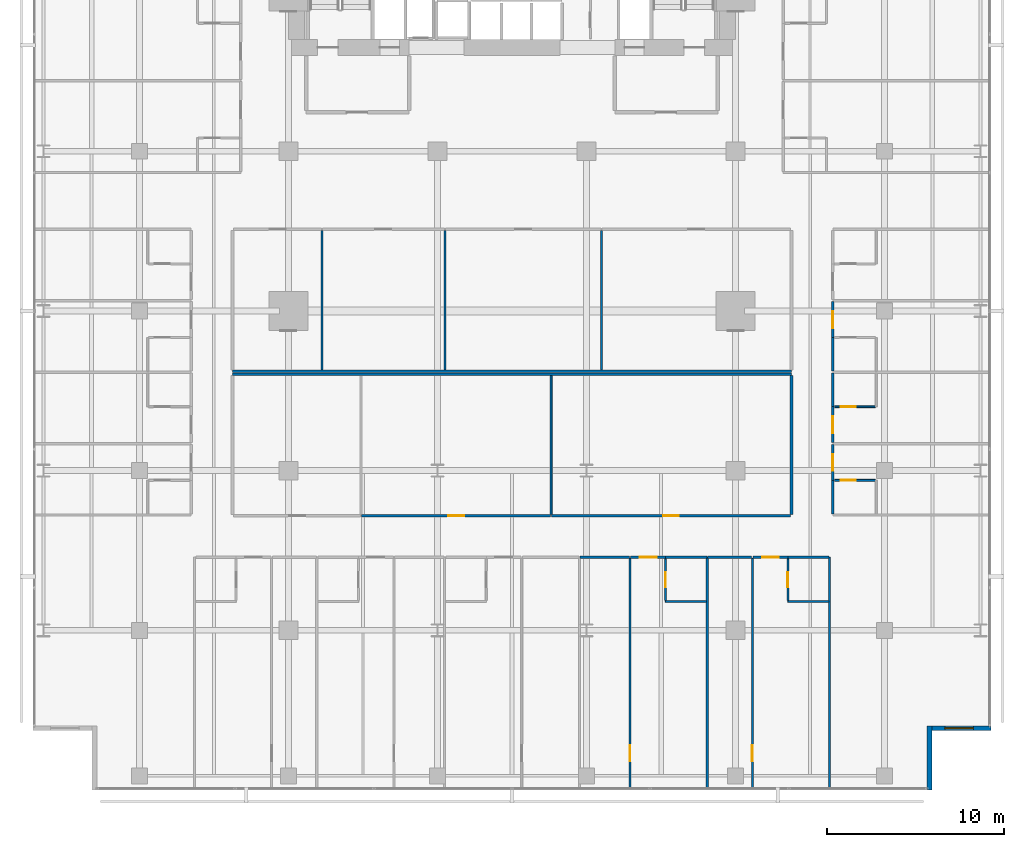
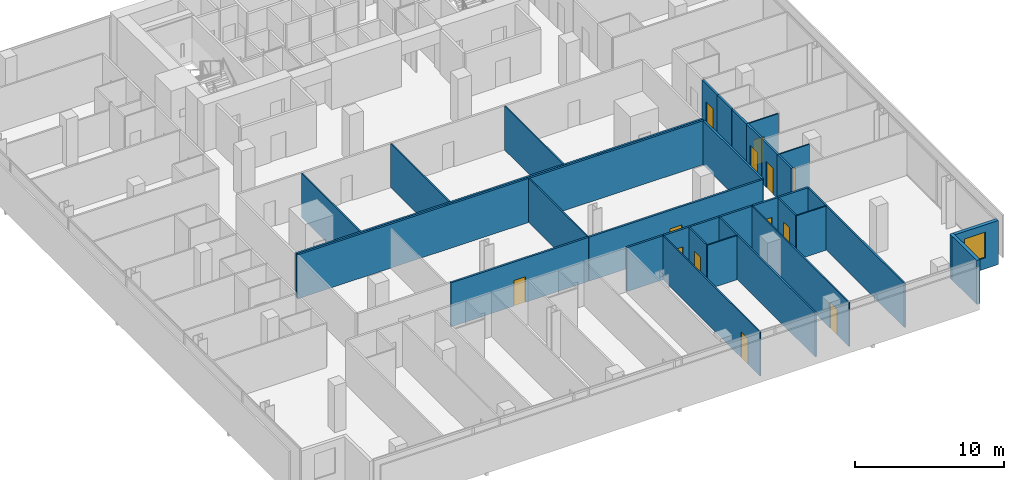
# One storey, part 34 of 40: 33 walls, 13 doors, 1 window, 14 openings.
"""IFC4 building model written with IfcOpenShell, lengths in metres."""

from ifc_helpers import new_model, si_unit, direction, frame, frame_2d, origin, place, context, subcontext, project, spatial, rectangle, extrude, material, layer, layer_set, type_object, element, fill, save


model = new_model("IFC4")

# Units and contexts
model_context = context("Model", 3, precision=1e-05, world=origin(), true_north=direction((0.0, 1.0)))
body_context = subcontext(model_context, "Body", "Model", "MODEL_VIEW")
ifc_project = project(units=[si_unit("LENGTHUNIT", "METRE"), si_unit("AREAUNIT", "SQUARE_METRE"), si_unit("VOLUMEUNIT", "CUBIC_METRE"), si_unit("PLANEANGLEUNIT", "RADIAN"), si_unit("MASSUNIT", "GRAM", prefix="KILO")], contexts=[model_context])

# Site, building, storey
site_placement = place(None, origin())
site = spatial("IfcSite", under=ifc_project, at=site_placement, CompositionType="ELEMENT")
building_placement = place(site_placement, origin())
building = spatial("IfcBuilding", under=site, at=building_placement, Name="Maruvema Waterfront Hotel and Observation Tower", CompositionType="ELEMENT")
storey_placement = place(building_placement, frame((0.0, 0.0, 80.85009765625)))
storey = spatial("IfcBuildingStorey", under=building, at=storey_placement, Name="L19", CompositionType="ELEMENT", Elevation=80.85009765625)

# Walls
ifc_material_1 = material(Name="Twin-stud acoustic gypsum drywall", Category="gypsum")
ifc_layer_1 = layer(ifc_material_1, 0.14990234375, Name="Acoustic Corridor and Suite Demising Wall 150 mm")
ifc_layer_set_1 = layer_set([ifc_layer_1], Name="Twin-stud acoustic gypsum drywall")
wall_type_1 = type_object("IfcWallType", Name="Acoustic Corridor and Suite Demising Wall 150 mm", PredefinedType="PARTITIONING", material=ifc_layer_set_1)
for number, where, z_axis, x_axis, name in (
    (1, (22.050048828125, 23.60009765625, 0.0), (0.0, 0.0, 1.0), (1.0, 0.0, 0.0), "L19 L19-INTN Back Wall 012"),
    (2, (22.050048828125, 23.43994140625, 0.0), (0.0, 0.0, 1.0), (1.0, 0.0, 0.0), "L19 L19-INTS Back Wall 022"),
):
    element("IfcWall", number, at=place(storey_placement, frame(where, z_axis=z_axis, x_axis=x_axis)), inside=storey, type_object=wall_type_1, Name=name, PredefinedType="PARTITIONING", context=body_context, shape_type="SweptSolid", body=[
        extrude(rectangle(XDim=31.5, YDim=0.14990234375, at=frame_2d((15.75, 0.0))), origin(), (0.0, 0.0, 1.0), 3.60986328125),
    ])
wall_1_placement = place(storey_placement, frame((53.550048828125, 15.530029296875, 0.0), z_axis=(0.0, 0.0, 1.0), x_axis=(0.0, 1.0, 0.0)))
element("IfcWall", 3, at=wall_1_placement, inside=storey, type_object=wall_type_1, Name="L19 L19-INTS East Wall 024", PredefinedType="PARTITIONING", context=body_context, shape_type="SweptSolid", body=[
    extrude(rectangle(XDim=7.830078125, YDim=0.14990234375, at=frame_2d((3.9150390625, 0.0))), origin(), (0.0, 0.0, 1.0), 3.60986328125),
])

# Wall, opening, door
wall_2_placement = place(storey_placement, frame((29.324951171875, 15.449951171875, 0.0), z_axis=(0.0, 0.0, 1.0), x_axis=(1.0, 0.0, 0.0)))
wall_2 = element("IfcWall", 4, at=wall_2_placement, inside=storey, type_object=wall_type_1, Name="L19 L19-INTS Front 2 027", PredefinedType="PARTITIONING", context=body_context, shape_type="SweptSolid", body=[
    extrude(rectangle(XDim=10.650146484375, YDim=0.14990234375, at=frame_2d((5.3251953125, 0.0))), origin(), (0.0, 0.0, 1.0), 3.60986328125),
])
opening_1_placement = place(wall_2_placement, frame((4.875, 0.0, 0.0)))
opening_1 = element("IfcOpeningElement", 5, at=opening_1_placement, cuts=wall_2, Name="Opening DR-090", PredefinedType="OPENING", context=body_context, shape_type="SweptSolid", body=[
    extrude(rectangle(XDim=0.89990234375, YDim=2.10009765625, at=frame_2d((0.449951171875, 1.050048828125))), frame((0.0, 0.0849609375, 0.0), z_axis=(0.0, -1.0, 0.0), x_axis=(1.0, 0.0, 0.0)), (0.0, 0.0, 1.0), 0.169921875),
])
ifc_material_2 = material(Name="Solid-core lacquered timber leaf", Category="wood")
door_type_1 = type_object("IfcDoorType", Name="Accessible Toilet and Room Door 900x2100 mm", OperationType="NOTDEFINED", PredefinedType="DOOR", material=ifc_material_2)
door_1_placement = place(opening_1_placement, frame((0.89990234375, 0.0, 0.0), z_axis=(0.0, 0.0, 1.0), x_axis=(-1.0, 0.0, 0.0)))
door_1 = element("IfcDoor", 6, at=door_1_placement, inside=storey, type_object=door_type_1, Name="L19 Tea Kitchenette Door", OperationType="SINGLE_SWING_LEFT", OverallHeight=2.10009765625, OverallWidth=0.89990234375, PredefinedType="DOOR", context=body_context, shape_type="SweptSolid", body=[
    extrude(rectangle(XDim=0.89990234375, YDim=2.10009765625, at=frame_2d((0.449951171875, 1.050048828125))), frame((0.0, 0.02490234375, 0.0), z_axis=(0.0, -1.0, 0.0), x_axis=(1.0, 0.0, 0.0)), (0.0, 0.0, 1.0), 0.050048828125),
])
fill(opening_1, door_1)

wall_3_placement = place(storey_placement, frame((40.034912109375, 15.449951171875, 0.0), z_axis=(0.0, 0.0, 1.0), x_axis=(1.0, 0.0, 0.0)))
wall_3 = element("IfcWall", 7, at=wall_3_placement, inside=storey, type_object=wall_type_1, Name="L19 L19-INTS Front 3 029", PredefinedType="PARTITIONING", context=body_context, shape_type="SweptSolid", body=[
    extrude(rectangle(XDim=13.455078125, YDim=0.14990234375, at=frame_2d((6.7275390625, 0.0))), origin(), (0.0, 0.0, 1.0), 3.60986328125),
])
opening_2_placement = place(wall_3_placement, frame((6.277587890625, 0.0, 0.0)))
opening_2 = element("IfcOpeningElement", 8, at=opening_2_placement, cuts=wall_3, Name="Opening DR-090", PredefinedType="OPENING", context=body_context, shape_type="SweptSolid", body=[
    extrude(rectangle(XDim=0.89990234375, YDim=2.10009765625, at=frame_2d((0.449951171875, 1.050048828125))), frame((0.0, 0.0849609375, 0.0), z_axis=(0.0, -1.0, 0.0), x_axis=(1.0, 0.0, 0.0)), (0.0, 0.0, 1.0), 0.169921875),
])
door_2_placement = place(opening_2_placement, frame((0.89990234375, 0.0, 0.0), z_axis=(0.0, 0.0, 1.0), x_axis=(-1.0, 0.0, 0.0)))
door_2 = element("IfcDoor", 9, at=door_2_placement, inside=storey, type_object=door_type_1, Name="L19 Housekeeping Linen Room Door", OperationType="SINGLE_SWING_RIGHT", OverallHeight=2.10009765625, OverallWidth=0.89990234375, PredefinedType="DOOR", context=body_context, shape_type="SweptSolid", body=[
    extrude(rectangle(XDim=0.89990234375, YDim=2.10009765625, at=frame_2d((0.449951171875, 1.050048828125))), frame((0.0, 0.02490234375, 0.0), z_axis=(0.0, -1.0, 0.0), x_axis=(1.0, 0.0, 0.0)), (0.0, 0.0, 1.0), 0.050048828125),
])
fill(opening_2, door_2)

# Walls
wall_4_placement = place(storey_placement, frame((46.449951171875, 13.1201171875, 0.0), z_axis=(0.0, 0.0, 1.0), x_axis=(1.0, 0.0, 0.0)))
element("IfcWall", 10, at=wall_4_placement, inside=storey, type_object=wall_type_1, Name="L19 Bath L19-S4 Back Wall 053", PredefinedType="PARTITIONING", context=body_context, shape_type="SweptSolid", body=[
    extrude(rectangle(XDim=2.330078125, YDim=0.14990234375, at=frame_2d((1.1650390625, 0.0))), origin(), (0.0, 0.0, 1.0), 3.60986328125),
])
wall_5_placement = place(storey_placement, frame((41.6201171875, 13.1201171875, 0.0), z_axis=(0.0, 0.0, 1.0), x_axis=(1.0, 0.0, 0.0)))
element("IfcWall", 11, at=wall_5_placement, inside=storey, type_object=wall_type_1, Name="L19 Bedroom L19-S4 Back Wall 056", PredefinedType="PARTITIONING", context=body_context, shape_type="SweptSolid", body=[
    extrude(rectangle(XDim=2.789794921875, YDim=0.14990234375, at=frame_2d((1.39501953125, 0.0))), origin(), (0.0, 0.0, 1.0), 3.60986328125),
])

# Wall, opening, door
wall_6_placement = place(storey_placement, frame((44.489990234375, 13.1201171875, 0.0), z_axis=(0.0, 0.0, 1.0), x_axis=(1.0, 0.0, 0.0)))
wall_6 = element("IfcWall", 12, at=wall_6_placement, inside=storey, type_object=wall_type_1, Name="L19 Unit L19-S4 Corridor Wall 057", PredefinedType="PARTITIONING", context=body_context, shape_type="SweptSolid", body=[
    extrude(rectangle(XDim=1.9599609375, YDim=0.14990234375, at=frame_2d((0.97998046875, 0.0))), origin(), (0.0, 0.0, 1.0), 3.60986328125),
])
opening_3_placement = place(wall_6_placement, frame((0.5048828125, 0.0, 0.0)))
opening_3 = element("IfcOpeningElement", 13, at=opening_3_placement, cuts=wall_6, Name="Opening DR-095", PredefinedType="OPENING", context=body_context, shape_type="SweptSolid", body=[
    extrude(rectangle(XDim=0.949951171875, YDim=2.14990234375, at=frame_2d((0.47509765625, 1.074951171875))), frame((0.0, 0.0849609375, 0.0), z_axis=(0.0, -1.0, 0.0), x_axis=(1.0, 0.0, 0.0)), (0.0, 0.0, 1.0), 0.169921875),
])
ifc_material_3 = material(Name="Acoustic solid-core hardwood timber leaf", Category="wood")
door_type_2 = type_object("IfcDoorType", Name="Guestroom Entrance Fire Door 950x2150 mm", OperationType="NOTDEFINED", PredefinedType="DOOR", material=ifc_material_3)
door_3_placement = place(opening_3_placement, frame((0.949951171875, 0.0, 0.0), z_axis=(0.0, 0.0, 1.0), x_axis=(-1.0, 0.0, 0.0)))
door_3 = element("IfcDoor", 14, at=door_3_placement, inside=storey, type_object=door_type_2, Name="L19 Unit L19-S4 Entrance Door", OperationType="SINGLE_SWING_LEFT", OverallHeight=2.14990234375, OverallWidth=0.949951171875, PredefinedType="DOOR", context=body_context, shape_type="SweptSolid", body=[
    extrude(rectangle(XDim=0.949951171875, YDim=2.14990234375, at=frame_2d((0.47509765625, 1.074951171875))), frame((0.0, 0.02490234375, 0.0), z_axis=(0.0, -1.0, 0.0), x_axis=(1.0, 0.0, 0.0)), (0.0, 0.0, 1.0), 0.050048828125),
])
fill(opening_3, door_3)

# Walls
wall_7_placement = place(storey_placement, frame((53.35009765625, 13.1201171875, 0.0), z_axis=(0.0, 0.0, 1.0), x_axis=(1.0, 0.0, 0.0)))
element("IfcWall", 15, at=wall_7_placement, inside=storey, type_object=wall_type_1, Name="L19 Bath L19-S5 Back Wall 060", PredefinedType="PARTITIONING", context=body_context, shape_type="SweptSolid", body=[
    extrude(rectangle(XDim=2.329833984375, YDim=0.14990234375, at=frame_2d((1.1650390625, 0.0))), origin(), (0.0, 0.0, 1.0), 3.60986328125),
])
wall_8_placement = place(storey_placement, frame((48.820068359375, 13.1201171875, 0.0), z_axis=(0.0, 0.0, 1.0), x_axis=(1.0, 0.0, 0.0)))
element("IfcWall", 16, at=wall_8_placement, inside=storey, type_object=wall_type_1, Name="L19 Bedroom L19-S5 Back Wall 063", PredefinedType="PARTITIONING", context=body_context, shape_type="SweptSolid", body=[
    extrude(rectangle(XDim=2.489990234375, YDim=0.14990234375, at=frame_2d((1.2451171875, 0.0))), origin(), (0.0, 0.0, 1.0), 3.60986328125),
])

# Wall, opening, door
wall_9_placement = place(storey_placement, frame((51.389892578125, 13.1201171875, 0.0), z_axis=(0.0, 0.0, 1.0), x_axis=(1.0, 0.0, 0.0)))
wall_9 = element("IfcWall", 17, at=wall_9_placement, inside=storey, type_object=wall_type_1, Name="L19 Unit L19-S5 Corridor Wall 064", PredefinedType="PARTITIONING", context=body_context, shape_type="SweptSolid", body=[
    extrude(rectangle(XDim=1.960205078125, YDim=0.14990234375, at=frame_2d((0.97998046875, 0.0))), origin(), (0.0, 0.0, 1.0), 3.60986328125),
])
opening_4_placement = place(wall_9_placement, frame((0.5048828125, 0.0, 0.0)))
opening_4 = element("IfcOpeningElement", 18, at=opening_4_placement, cuts=wall_9, Name="Opening DR-095", PredefinedType="OPENING", context=body_context, shape_type="SweptSolid", body=[
    extrude(rectangle(XDim=0.949951171875, YDim=2.14990234375, at=frame_2d((0.47509765625, 1.074951171875))), frame((0.0, 0.0849609375, 0.0), z_axis=(0.0, -1.0, 0.0), x_axis=(1.0, 0.0, 0.0)), (0.0, 0.0, 1.0), 0.169921875),
])
door_4_placement = place(opening_4_placement, frame((0.949951171875, 0.0, 0.0), z_axis=(0.0, 0.0, 1.0), x_axis=(-1.0, 0.0, 0.0)))
door_4 = element("IfcDoor", 19, at=door_4_placement, inside=storey, type_object=door_type_2, Name="L19 Unit L19-S5 Entrance Door", OperationType="SINGLE_SWING_RIGHT", OverallHeight=2.14990234375, OverallWidth=0.949951171875, PredefinedType="DOOR", context=body_context, shape_type="SweptSolid", body=[
    extrude(rectangle(XDim=0.949951171875, YDim=2.14990234375, at=frame_2d((0.47509765625, 1.074951171875))), frame((0.0, 0.02490234375, 0.0), z_axis=(0.0, -1.0, 0.0), x_axis=(1.0, 0.0, 0.0)), (0.0, 0.0, 1.0), 0.050048828125),
])
fill(opening_4, door_4)

# Wall
wall_10_placement = place(storey_placement, frame((55.8798828125, 15.56005859375, 0.0), z_axis=(0.0, 0.0, 1.0), x_axis=(0.0, 1.0, 0.0)))
element("IfcWall", 20, at=wall_10_placement, inside=storey, type_object=wall_type_1, Name="L19 Bath L19-E1 Wall 074", PredefinedType="PARTITIONING", context=body_context, shape_type="SweptSolid", body=[
    extrude(rectangle(XDim=1.889892578125, YDim=0.14990234375, at=frame_2d((0.94482421875, 0.0))), origin(), (0.0, 0.0, 1.0), 3.60986328125),
])

# Wall, opening, door
wall_11_placement = place(storey_placement, frame((55.8798828125, 17.449951171875, 0.0), z_axis=(0.0, 0.0, 1.0), x_axis=(0.0, 1.0, 0.0)))
wall_11 = element("IfcWall", 21, at=wall_11_placement, inside=storey, type_object=wall_type_1, Name="L19 Room L19-E1 Corridor Wall 075", PredefinedType="PARTITIONING", context=body_context, shape_type="SweptSolid", body=[
    extrude(rectangle(XDim=2.010009765625, YDim=0.14990234375, at=frame_2d((1.0048828125, 0.0))), origin(), (0.0, 0.0, 1.0), 3.60986328125),
])
opening_5_placement = place(wall_11_placement, frame((0.530029296875, 0.0, 0.0)))
opening_5 = element("IfcOpeningElement", 22, at=opening_5_placement, cuts=wall_11, Name="Opening DR-095", PredefinedType="OPENING", context=body_context, shape_type="SweptSolid", body=[
    extrude(rectangle(XDim=0.949951171875, YDim=2.14990234375, at=frame_2d((0.47509765625, 1.074951171875))), frame((0.0, 0.0849609375, 0.0), z_axis=(0.0, -1.0, 0.0), x_axis=(1.0, 0.0, 0.0)), (0.0, 0.0, 1.0), 0.169921875),
])
door_5_placement = place(opening_5_placement, frame((0.949951171875, 0.0, 0.0), z_axis=(0.0, 0.0, 1.0), x_axis=(-1.0, 0.0, 0.0)))
door_5 = element("IfcDoor", 23, at=door_5_placement, inside=storey, type_object=door_type_2, Name="L19 Room L19-E1 Entrance Door", OperationType="SINGLE_SWING_LEFT", OverallHeight=2.14990234375, OverallWidth=0.949951171875, PredefinedType="DOOR", context=body_context, shape_type="SweptSolid", body=[
    extrude(rectangle(XDim=0.949951171875, YDim=2.14990234375, at=frame_2d((0.47509765625, 1.074951171875))), frame((0.0, 0.02490234375, 0.0), z_axis=(0.0, -1.0, 0.0), x_axis=(1.0, 0.0, 0.0)), (0.0, 0.0, 1.0), 0.050048828125),
])
fill(opening_5, door_5)

wall_12_placement = place(storey_placement, frame((55.8798828125, 19.580078125, 0.0), z_axis=(0.0, 0.0, 1.0), x_axis=(0.0, 1.0, 0.0)))
wall_12 = element("IfcWall", 24, at=wall_12_placement, inside=storey, type_object=wall_type_1, Name="L19 Room L19-E2 Corridor Wall 084", PredefinedType="PARTITIONING", context=body_context, shape_type="SweptSolid", body=[
    extrude(rectangle(XDim=2.02001953125, YDim=0.14990234375, at=frame_2d((1.010009765625, 0.0))), origin(), (0.0, 0.0, 1.0), 3.60986328125),
])
opening_6_placement = place(wall_12_placement, frame((0.534912109375, 0.0, 0.0)))
opening_6 = element("IfcOpeningElement", 25, at=opening_6_placement, cuts=wall_12, Name="Opening DR-095", PredefinedType="OPENING", context=body_context, shape_type="SweptSolid", body=[
    extrude(rectangle(XDim=0.949951171875, YDim=2.14990234375, at=frame_2d((0.47509765625, 1.074951171875))), frame((0.0, 0.0849609375, 0.0), z_axis=(0.0, -1.0, 0.0), x_axis=(1.0, 0.0, 0.0)), (0.0, 0.0, 1.0), 0.169921875),
])
door_6_placement = place(opening_6_placement, frame((0.949951171875, 0.0, 0.0), z_axis=(0.0, 0.0, 1.0), x_axis=(-1.0, 0.0, 0.0)))
door_6 = element("IfcDoor", 26, at=door_6_placement, inside=storey, type_object=door_type_2, Name="L19 Room L19-E2 Entrance Door", OperationType="SINGLE_SWING_LEFT", OverallHeight=2.14990234375, OverallWidth=0.949951171875, PredefinedType="DOOR", context=body_context, shape_type="SweptSolid", body=[
    extrude(rectangle(XDim=0.949951171875, YDim=2.14990234375, at=frame_2d((0.47509765625, 1.074951171875))), frame((0.0, 0.02490234375, 0.0), z_axis=(0.0, -1.0, 0.0), x_axis=(1.0, 0.0, 0.0)), (0.0, 0.0, 1.0), 0.050048828125),
])
fill(opening_6, door_6)

# Walls
for number, where, z_axis, x_axis, name in (
    (27, (55.8798828125, 21.60009765625, 0.0), (0.0, 0.0, 1.0), (0.0, 1.0, 0.0), "L19 Bath L19-E2 Wall 085"),
    (28, (55.8798828125, 23.610107421875, 0.0), (0.0, 0.0, 1.0), (0.0, 1.0, 0.0), "L19 Bath L19-E3 Wall 094"),
):
    element("IfcWall", number, at=place(storey_placement, frame(where, z_axis=z_axis, x_axis=x_axis)), inside=storey, type_object=wall_type_1, Name=name, PredefinedType="PARTITIONING", context=body_context, shape_type="SweptSolid", body=[
        extrude(rectangle(XDim=1.889892578125, YDim=0.14990234375, at=frame_2d((0.94482421875, 0.0))), origin(), (0.0, 0.0, 1.0), 3.60986328125),
    ])

# Wall, opening, door
wall_13_placement = place(storey_placement, frame((55.8798828125, 25.5, 0.0), z_axis=(0.0, 0.0, 1.0), x_axis=(0.0, 1.0, 0.0)))
wall_13 = element("IfcWall", 29, at=wall_13_placement, inside=storey, type_object=wall_type_1, Name="L19 Room L19-E3 Corridor Wall 095", PredefinedType="PARTITIONING", context=body_context, shape_type="SweptSolid", body=[
    extrude(rectangle(XDim=2.02001953125, YDim=0.14990234375, at=frame_2d((1.010009765625, 0.0))), origin(), (0.0, 0.0, 1.0), 3.60986328125),
])
opening_7_placement = place(wall_13_placement, frame((0.534912109375, 0.0, 0.0)))
opening_7 = element("IfcOpeningElement", 30, at=opening_7_placement, cuts=wall_13, Name="Opening DR-095", PredefinedType="OPENING", context=body_context, shape_type="SweptSolid", body=[
    extrude(rectangle(XDim=0.949951171875, YDim=2.14990234375, at=frame_2d((0.47509765625, 1.074951171875))), frame((0.0, 0.0849609375, 0.0), z_axis=(0.0, -1.0, 0.0), x_axis=(1.0, 0.0, 0.0)), (0.0, 0.0, 1.0), 0.169921875),
])
door_7_placement = place(opening_7_placement, frame((0.949951171875, 0.0, 0.0), z_axis=(0.0, 0.0, 1.0), x_axis=(-1.0, 0.0, 0.0)))
door_7 = element("IfcDoor", 31, at=door_7_placement, inside=storey, type_object=door_type_2, Name="L19 Room L19-E3 Entrance Door", OperationType="SINGLE_SWING_LEFT", OverallHeight=2.14990234375, OverallWidth=0.949951171875, PredefinedType="DOOR", context=body_context, shape_type="SweptSolid", body=[
    extrude(rectangle(XDim=0.949951171875, YDim=2.14990234375, at=frame_2d((0.47509765625, 1.074951171875))), frame((0.0, 0.02490234375, 0.0), z_axis=(0.0, -1.0, 0.0), x_axis=(1.0, 0.0, 0.0)), (0.0, 0.0, 1.0), 0.050048828125),
])
fill(opening_7, door_7)

# Walls
ifc_material_4 = material(Name="Moisture-resistant cement-board drywall", Category="gypsum")
ifc_layer_2 = layer(ifc_material_4, 0.10009765625, Name="En-Suite Moisture-Resistant Partition 100 mm")
ifc_layer_set_2 = layer_set([ifc_layer_2], Name="Moisture-resistant cement-board drywall")
wall_type_2 = type_object("IfcWallType", Name="En-Suite Moisture-Resistant Partition 100 mm", PredefinedType="PARTITIONING", material=ifc_layer_set_2)
for number, where, z_axis, x_axis, name in (
    (32, (27.090087890625, 23.679931640625, 0.0), (0.0, 0.0, 1.0), (0.0, 1.0, 0.0), "L19 L19-INTN Split 1 016"),
    (33, (34.02001953125, 23.679931640625, 0.0), (0.0, 0.0, 1.0), (0.0, 1.0, 0.0), "L19 L19-INTN Split 2 018"),
    (34, (42.840087890625, 23.679931640625, 0.0), (0.0, 0.0, 1.0), (0.0, 1.0, 0.0), "L19 L19-INTN Split 3 020"),
):
    element("IfcWall", number, at=place(storey_placement, frame(where, z_axis=z_axis, x_axis=x_axis)), inside=storey, type_object=wall_type_2, Name=name, PredefinedType="PARTITIONING", context=body_context, shape_type="SweptSolid", body=[
        extrude(rectangle(XDim=7.840087890625, YDim=0.10009765625, at=frame_2d((3.919921875, 0.0))), origin(), (0.0, 0.0, 1.0), 3.60986328125),
    ])
wall_14_placement = place(storey_placement, frame((40.0048828125, 15.530029296875, 0.0), z_axis=(0.0, 0.0, 1.0), x_axis=(0.0, 1.0, 0.0)))
element("IfcWall", 35, at=wall_14_placement, inside=storey, type_object=wall_type_2, Name="L19 L19-INTS Split 2 028", PredefinedType="PARTITIONING", context=body_context, shape_type="SweptSolid", body=[
    extrude(rectangle(XDim=7.830078125, YDim=0.10009765625, at=frame_2d((3.9150390625, 0.0))), origin(), (0.0, 0.0, 1.0), 3.60986328125),
])
wall_15_placement = place(storey_placement, frame((46.449951171875, 10.6201171875, 0.0), z_axis=(0.0, 0.0, 1.0), x_axis=(1.0, 0.0, 0.0)))
element("IfcWall", 36, at=wall_15_placement, inside=storey, type_object=wall_type_2, Name="L19 En-Suite L19-S4 South 054", PredefinedType="PARTITIONING", context=body_context, shape_type="SweptSolid", body=[
    extrude(rectangle(XDim=2.31005859375, YDim=0.10009765625, at=frame_2d((1.155029296875, 0.0))), origin(), (0.0, 0.0, 1.0), 3.60986328125),
])

# Wall, opening, door
wall_16_placement = place(storey_placement, frame((46.449951171875, 10.679931640625, 0.0), z_axis=(0.0, 0.0, 1.0), x_axis=(0.0, 1.0, 0.0)))
wall_16 = element("IfcWall", 37, at=wall_16_placement, inside=storey, type_object=wall_type_2, Name="L19 En-Suite L19-S4 West 055", PredefinedType="PARTITIONING", context=body_context, shape_type="SweptSolid", body=[
    extrude(rectangle(XDim=2.340087890625, YDim=0.10009765625, at=frame_2d((1.169921875, 0.0))), origin(), (0.0, 0.0, 1.0), 3.60986328125),
])
opening_8_placement = place(wall_16_placement, frame((0.7451171875, 0.0, 0.0)))
opening_8 = element("IfcOpeningElement", 38, at=opening_8_placement, cuts=wall_16, Name="Opening DR-085", PredefinedType="OPENING", context=body_context, shape_type="SweptSolid", body=[
    extrude(rectangle(XDim=0.85009765625, YDim=2.10009765625, at=frame_2d((0.425048828125, 1.050048828125))), frame((0.0, 0.06005859375, 0.0), z_axis=(0.0, -1.0, 0.0), x_axis=(1.0, 0.0, 0.0)), (0.0, 0.0, 1.0), 0.1201171875),
])
ifc_material_5 = material(Name="Moisture-resistant solid timber leaf", Category="wood")
door_type_3 = type_object("IfcDoorType", Name="En-Suite Bathroom Door 850x2100 mm", OperationType="NOTDEFINED", PredefinedType="DOOR", material=ifc_material_5)
door_8_placement = place(opening_8_placement, origin())
door_8 = element("IfcDoor", 39, at=door_8_placement, inside=storey, type_object=door_type_3, Name="L19 En-Suite L19-S4 Door", OperationType="SINGLE_SWING_RIGHT", OverallHeight=2.10009765625, OverallWidth=0.85009765625, PredefinedType="DOOR", context=body_context, shape_type="SweptSolid", body=[
    extrude(rectangle(XDim=0.85009765625, YDim=2.10009765625, at=frame_2d((0.425048828125, 1.050048828125))), frame((0.0, 0.02490234375, 0.0), z_axis=(0.0, -1.0, 0.0), x_axis=(1.0, 0.0, 0.0)), (0.0, 0.0, 1.0), 0.050048828125),
])
fill(opening_8, door_8)

wall_17_placement = place(storey_placement, frame((44.449951171875, 0.030029296875, 0.0), z_axis=(0.0, 0.0, 1.0), x_axis=(0.0, 1.0, 0.0)))
wall_17 = element("IfcWall", 40, at=wall_17_placement, inside=storey, type_object=wall_type_2, Name="L19 Suite L19-S4 Split 058", PredefinedType="PARTITIONING", context=body_context, shape_type="SweptSolid", body=[
    extrude(rectangle(XDim=13.030029296875, YDim=0.10009765625, at=frame_2d((6.51513671875, 0.0))), origin(), (0.0, 0.0, 1.0), 3.60986328125),
])
opening_9_placement = place(wall_17_placement, frame((1.60009765625, 0.0, 0.0)))
opening_9 = element("IfcOpeningElement", 41, at=opening_9_placement, cuts=wall_17, Name="Opening DR-090", PredefinedType="OPENING", context=body_context, shape_type="SweptSolid", body=[
    extrude(rectangle(XDim=0.89990234375, YDim=2.10009765625, at=frame_2d((0.449951171875, 1.050048828125))), frame((0.0, 0.06005859375, 0.0), z_axis=(0.0, -1.0, 0.0), x_axis=(1.0, 0.0, 0.0)), (0.0, 0.0, 1.0), 0.1201171875),
])
door_9_placement = place(opening_9_placement, frame((0.89990234375, 0.0, 0.0), z_axis=(0.0, 0.0, 1.0), x_axis=(-1.0, 0.0, 0.0)))
door_9 = element("IfcDoor", 42, at=door_9_placement, inside=storey, type_object=door_type_1, Name="L19 Suite L19-S4 Bedroom Door", OperationType="SINGLE_SWING_RIGHT", OverallHeight=2.10009765625, OverallWidth=0.89990234375, PredefinedType="DOOR", context=body_context, shape_type="SweptSolid", body=[
    extrude(rectangle(XDim=0.89990234375, YDim=2.10009765625, at=frame_2d((0.449951171875, 1.050048828125))), frame((0.0, 0.02490234375, 0.0), z_axis=(0.0, -1.0, 0.0), x_axis=(1.0, 0.0, 0.0)), (0.0, 0.0, 1.0), 0.050048828125),
])
fill(opening_9, door_9)

# Wall
wall_18_placement = place(storey_placement, frame((53.35009765625, 10.6201171875, 0.0), z_axis=(0.0, 0.0, 1.0), x_axis=(1.0, 0.0, 0.0)))
element("IfcWall", 43, at=wall_18_placement, inside=storey, type_object=wall_type_2, Name="L19 En-Suite L19-S5 South 061", PredefinedType="PARTITIONING", context=body_context, shape_type="SweptSolid", body=[
    extrude(rectangle(XDim=2.309814453125, YDim=0.10009765625, at=frame_2d((1.15478515625, 0.0))), origin(), (0.0, 0.0, 1.0), 3.60986328125),
])

# Wall, opening, door
wall_19_placement = place(storey_placement, frame((53.35009765625, 10.679931640625, 0.0), z_axis=(0.0, 0.0, 1.0), x_axis=(0.0, 1.0, 0.0)))
wall_19 = element("IfcWall", 44, at=wall_19_placement, inside=storey, type_object=wall_type_2, Name="L19 En-Suite L19-S5 West 062", PredefinedType="PARTITIONING", context=body_context, shape_type="SweptSolid", body=[
    extrude(rectangle(XDim=2.340087890625, YDim=0.10009765625, at=frame_2d((1.169921875, 0.0))), origin(), (0.0, 0.0, 1.0), 3.60986328125),
])
opening_10_placement = place(wall_19_placement, frame((0.7451171875, 0.0, 0.0)))
opening_10 = element("IfcOpeningElement", 45, at=opening_10_placement, cuts=wall_19, Name="Opening DR-085", PredefinedType="OPENING", context=body_context, shape_type="SweptSolid", body=[
    extrude(rectangle(XDim=0.85009765625, YDim=2.10009765625, at=frame_2d((0.425048828125, 1.050048828125))), frame((0.0, 0.06005859375, 0.0), z_axis=(0.0, -1.0, 0.0), x_axis=(1.0, 0.0, 0.0)), (0.0, 0.0, 1.0), 0.1201171875),
])
door_10_placement = place(opening_10_placement, origin())
door_10 = element("IfcDoor", 46, at=door_10_placement, inside=storey, type_object=door_type_3, Name="L19 En-Suite L19-S5 Door", OperationType="SINGLE_SWING_LEFT", OverallHeight=2.10009765625, OverallWidth=0.85009765625, PredefinedType="DOOR", context=body_context, shape_type="SweptSolid", body=[
    extrude(rectangle(XDim=0.85009765625, YDim=2.10009765625, at=frame_2d((0.425048828125, 1.050048828125))), frame((0.0, 0.02490234375, 0.0), z_axis=(0.0, -1.0, 0.0), x_axis=(1.0, 0.0, 0.0)), (0.0, 0.0, 1.0), 0.050048828125),
])
fill(opening_10, door_10)

wall_20_placement = place(storey_placement, frame((51.35009765625, 0.030029296875, 0.0), z_axis=(0.0, 0.0, 1.0), x_axis=(0.0, 1.0, 0.0)))
wall_20 = element("IfcWall", 47, at=wall_20_placement, inside=storey, type_object=wall_type_2, Name="L19 Suite L19-S5 Split 065", PredefinedType="PARTITIONING", context=body_context, shape_type="SweptSolid", body=[
    extrude(rectangle(XDim=13.030029296875, YDim=0.10009765625, at=frame_2d((6.51513671875, 0.0))), origin(), (0.0, 0.0, 1.0), 3.60986328125),
])
opening_11_placement = place(wall_20_placement, frame((1.60009765625, 0.0, 0.0)))
opening_11 = element("IfcOpeningElement", 48, at=opening_11_placement, cuts=wall_20, Name="Opening DR-090", PredefinedType="OPENING", context=body_context, shape_type="SweptSolid", body=[
    extrude(rectangle(XDim=0.89990234375, YDim=2.10009765625, at=frame_2d((0.449951171875, 1.050048828125))), frame((0.0, 0.06005859375, 0.0), z_axis=(0.0, -1.0, 0.0), x_axis=(1.0, 0.0, 0.0)), (0.0, 0.0, 1.0), 0.1201171875),
])
door_11_placement = place(opening_11_placement, frame((0.89990234375, 0.0, 0.0), z_axis=(0.0, 0.0, 1.0), x_axis=(-1.0, 0.0, 0.0)))
door_11 = element("IfcDoor", 49, at=door_11_placement, inside=storey, type_object=door_type_1, Name="L19 Suite L19-S5 Bedroom Door", OperationType="SINGLE_SWING_LEFT", OverallHeight=2.10009765625, OverallWidth=0.89990234375, PredefinedType="DOOR", context=body_context, shape_type="SweptSolid", body=[
    extrude(rectangle(XDim=0.89990234375, YDim=2.10009765625, at=frame_2d((0.449951171875, 1.050048828125))), frame((0.0, 0.02490234375, 0.0), z_axis=(0.0, -1.0, 0.0), x_axis=(1.0, 0.0, 0.0)), (0.0, 0.0, 1.0), 0.050048828125),
])
fill(opening_11, door_11)

wall_21_placement = place(storey_placement, frame((55.97998046875, 17.449951171875, 0.0), z_axis=(0.0, 0.0, 1.0), x_axis=(1.0, 0.0, 0.0)))
wall_21 = element("IfcWall", 50, at=wall_21_placement, inside=storey, type_object=wall_type_2, Name="L19 En-Suite L19-E1 N 077", PredefinedType="PARTITIONING", context=body_context, shape_type="SweptSolid", body=[
    extrude(rectangle(XDim=2.300048828125, YDim=0.10009765625, at=frame_2d((1.14990234375, 0.0))), origin(), (0.0, 0.0, 1.0), 3.60986328125),
])
opening_12_placement = place(wall_21_placement, frame((0.35009765625, 0.0, 0.0)))
opening_12 = element("IfcOpeningElement", 51, at=opening_12_placement, cuts=wall_21, Name="Opening DR-085", PredefinedType="OPENING", context=body_context, shape_type="SweptSolid", body=[
    extrude(rectangle(XDim=0.85009765625, YDim=2.10009765625, at=frame_2d((0.425048828125, 1.050048828125))), frame((0.0, 0.06005859375, 0.0), z_axis=(0.0, -1.0, 0.0), x_axis=(1.0, 0.0, 0.0)), (0.0, 0.0, 1.0), 0.1201171875),
])
door_12_placement = place(opening_12_placement, origin())
door_12 = element("IfcDoor", 52, at=door_12_placement, inside=storey, type_object=door_type_3, Name="L19 En-Suite L19-E1 Door", OperationType="SINGLE_SWING_RIGHT", OverallHeight=2.10009765625, OverallWidth=0.85009765625, PredefinedType="DOOR", context=body_context, shape_type="SweptSolid", body=[
    extrude(rectangle(XDim=0.85009765625, YDim=2.10009765625, at=frame_2d((0.425048828125, 1.050048828125))), frame((0.0, 0.02490234375, 0.0), z_axis=(0.0, -1.0, 0.0), x_axis=(1.0, 0.0, 0.0)), (0.0, 0.0, 1.0), 0.050048828125),
])
fill(opening_12, door_12)

wall_22_placement = place(storey_placement, frame((55.97998046875, 21.60009765625, 0.0), z_axis=(0.0, 0.0, 1.0), x_axis=(1.0, 0.0, 0.0)))
wall_22 = element("IfcWall", 53, at=wall_22_placement, inside=storey, type_object=wall_type_2, Name="L19 En-Suite L19-E2 S 087", PredefinedType="PARTITIONING", context=body_context, shape_type="SweptSolid", body=[
    extrude(rectangle(XDim=2.300048828125, YDim=0.10009765625, at=frame_2d((1.14990234375, 0.0))), origin(), (0.0, 0.0, 1.0), 3.60986328125),
])
opening_13_placement = place(wall_22_placement, frame((0.35009765625, 0.0, 0.0)))
opening_13 = element("IfcOpeningElement", 54, at=opening_13_placement, cuts=wall_22, Name="Opening DR-085", PredefinedType="OPENING", context=body_context, shape_type="SweptSolid", body=[
    extrude(rectangle(XDim=0.85009765625, YDim=2.10009765625, at=frame_2d((0.425048828125, 1.050048828125))), frame((0.0, 0.06005859375, 0.0), z_axis=(0.0, -1.0, 0.0), x_axis=(1.0, 0.0, 0.0)), (0.0, 0.0, 1.0), 0.1201171875),
])
door_13_placement = place(opening_13_placement, frame((0.85009765625, 0.0, 0.0), z_axis=(0.0, 0.0, 1.0), x_axis=(-1.0, 0.0, 0.0)))
door_13 = element("IfcDoor", 55, at=door_13_placement, inside=storey, type_object=door_type_3, Name="L19 En-Suite L19-E2 Door", OperationType="SINGLE_SWING_RIGHT", OverallHeight=2.10009765625, OverallWidth=0.85009765625, PredefinedType="DOOR", context=body_context, shape_type="SweptSolid", body=[
    extrude(rectangle(XDim=0.85009765625, YDim=2.10009765625, at=frame_2d((0.425048828125, 1.050048828125))), frame((0.0, 0.02490234375, 0.0), z_axis=(0.0, -1.0, 0.0), x_axis=(1.0, 0.0, 0.0)), (0.0, 0.0, 1.0), 0.050048828125),
])
fill(opening_13, door_13)

# Wall
ifc_material_6 = material(Name="Precast concrete C45/55 with honed Pernambuco granite facing", Category="masonry")
ifc_layer_3 = layer(ifc_material_6, 0.260009765625, Name="Exterior Granite Clad Spandrel and Pier Wall 260 mm")
ifc_layer_set_3 = layer_set([ifc_layer_3], Name="Precast concrete C45/55 with honed Pernambuco granite facing")
wall_type_3 = type_object("IfcWallType", Name="Exterior Granite Clad Spandrel and Pier Wall 260 mm", PredefinedType="SOLIDWALL", material=ifc_layer_set_3)
wall_23_placement = place(storey_placement, frame((61.330078125, 3.60009765625, 0.0), z_axis=(0.0, 0.0, 1.0), x_axis=(0.0, -1.0, 0.0)))
element("IfcWall", 56, at=wall_23_placement, inside=storey, type_object=wall_type_3, Name="L19 Corner Notch Granite Pier Wall SE1", PredefinedType="SOLIDWALL", context=body_context, shape_type="SweptSolid", body=[
    extrude(rectangle(XDim=3.60009765625, YDim=0.260009765625, at=frame_2d((1.800048828125, 0.0))), origin(), (0.0, 0.0, 1.0), 3.60986328125),
])

# Wall, opening, window
wall_24_placement = place(storey_placement, frame((64.800048828125, 3.469970703125, 0.0), z_axis=(0.0, 0.0, 1.0), x_axis=(-1.0, 0.0, 0.0)))
wall_24 = element("IfcWall", 57, at=wall_24_placement, inside=storey, type_object=wall_type_3, Name="L19 Corner Notch Granite Pier Wall SE2", PredefinedType="SOLIDWALL", context=body_context, shape_type="SweptSolid", body=[
    extrude(rectangle(XDim=3.60009765625, YDim=0.260009765625, at=frame_2d((1.800048828125, 0.0))), origin(), (0.0, 0.0, 1.0), 3.60986328125),
])
opening_14_placement = place(wall_24_placement, frame((1.0, 0.0, 0.89990234375)))
opening_14 = element("IfcOpeningElement", 58, at=opening_14_placement, cuts=wall_24, Name="Opening WN-01", PredefinedType="OPENING", context=body_context, shape_type="SweptSolid", body=[
    extrude(rectangle(XDim=1.60009765625, YDim=2.10009765625, at=frame_2d((0.800048828125, 1.050048828125))), frame((0.0, 0.14013671875, 0.0), z_axis=(0.0, -1.0, 0.0), x_axis=(1.0, 0.0, 0.0)), (0.0, 0.0, 1.0), 0.280029296875),
])
ifc_material_7 = material(Name="Anodised bronze aluminium frame with laminated low-E glass", Category="aluminium")
window_type = type_object("IfcWindowType", Name="Corner Notch Feature Window 1600x2100 mm", PartitioningType="SINGLE_PANEL", PredefinedType="WINDOW", material=ifc_material_7)
window_placement = place(opening_14_placement, origin())
window = element("IfcWindow", 59, at=window_placement, inside=storey, type_object=window_type, Name="L19 Corner Notch Punched Window SE2", OverallHeight=2.10009765625, OverallWidth=1.60009765625, PartitioningType="SINGLE_PANEL", PredefinedType="WINDOW", context=body_context, shape_type="SweptSolid", body=[
    extrude(rectangle(XDim=1.60009765625, YDim=2.10009765625, at=frame_2d((0.800048828125, 1.050048828125))), frame((0.0, 0.030029296875, 0.0), z_axis=(0.0, -1.0, 0.0), x_axis=(1.0, 0.0, 0.0)), (0.0, 0.0, 1.0), 0.06005859375),
])
fill(opening_14, window)

# Walls
ifc_material_8 = material(Name="Acoustic gypsum plasterboard drywall", Category="gypsum")
ifc_layer_4 = layer(ifc_material_8, 0.125, Name="Guestroom Acoustic Demising Wall 125 mm")
ifc_layer_set_4 = layer_set([ifc_layer_4], Name="Acoustic gypsum plasterboard drywall")
wall_type_4 = type_object("IfcWallType", Name="Guestroom Acoustic Demising Wall 125 mm", PredefinedType="PARTITIONING", material=ifc_layer_set_4)
for number, where, z_axis, x_axis, name in (
    (60, (55.699951171875, 0.10009765625, 0.0), (0.0, 0.0, 1.0), (0.0, 1.0, 0.0), "L19 S East End 031"),
    (61, (48.800048828125, 0.10009765625, 0.0), (0.0, 0.0, 1.0), (0.0, 1.0, 0.0), "L19 S Demising 5 059"),
):
    element("IfcWall", number, at=place(storey_placement, frame(where, z_axis=z_axis, x_axis=x_axis)), inside=storey, type_object=wall_type_4, Name=name, PredefinedType="PARTITIONING", context=body_context, shape_type="SweptSolid", body=[
        extrude(rectangle(XDim=13.02001953125, YDim=0.125, at=frame_2d((6.510009765625, 0.0))), origin(), (0.0, 0.0, 1.0), 3.60986328125),
    ])

save(model, "model.ifc")
